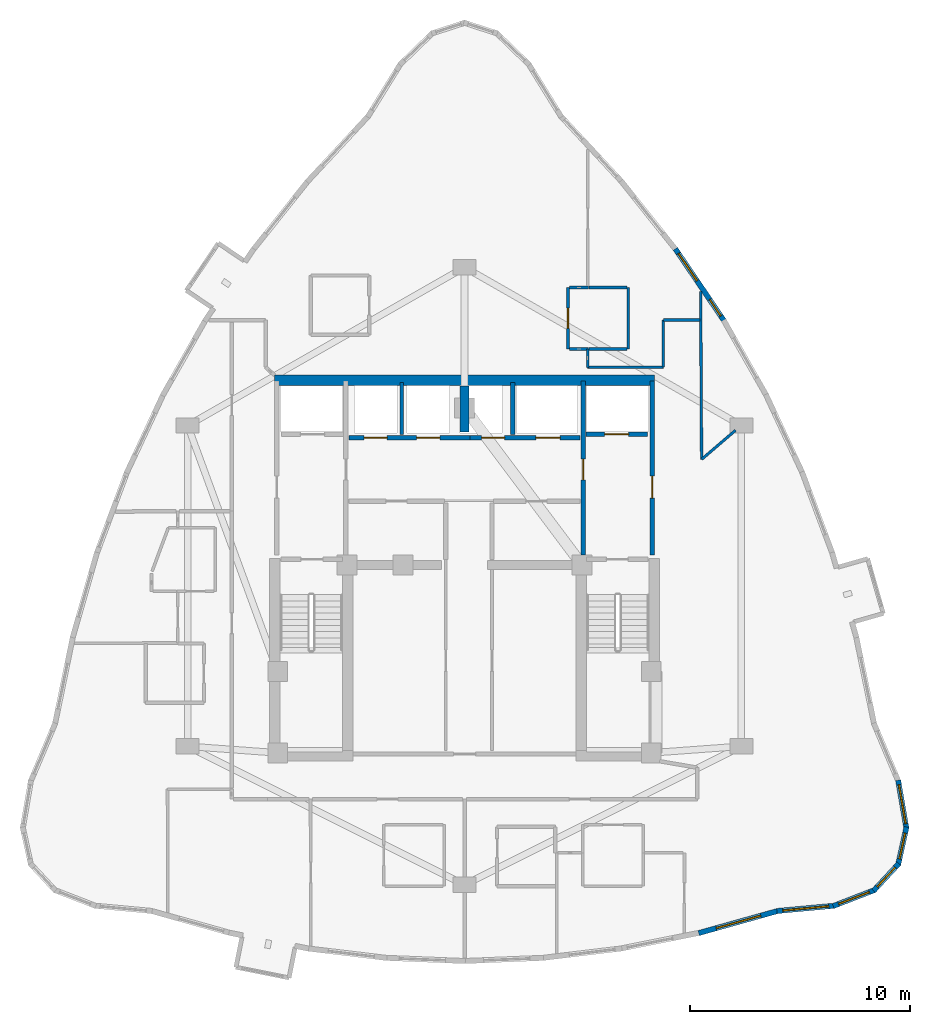
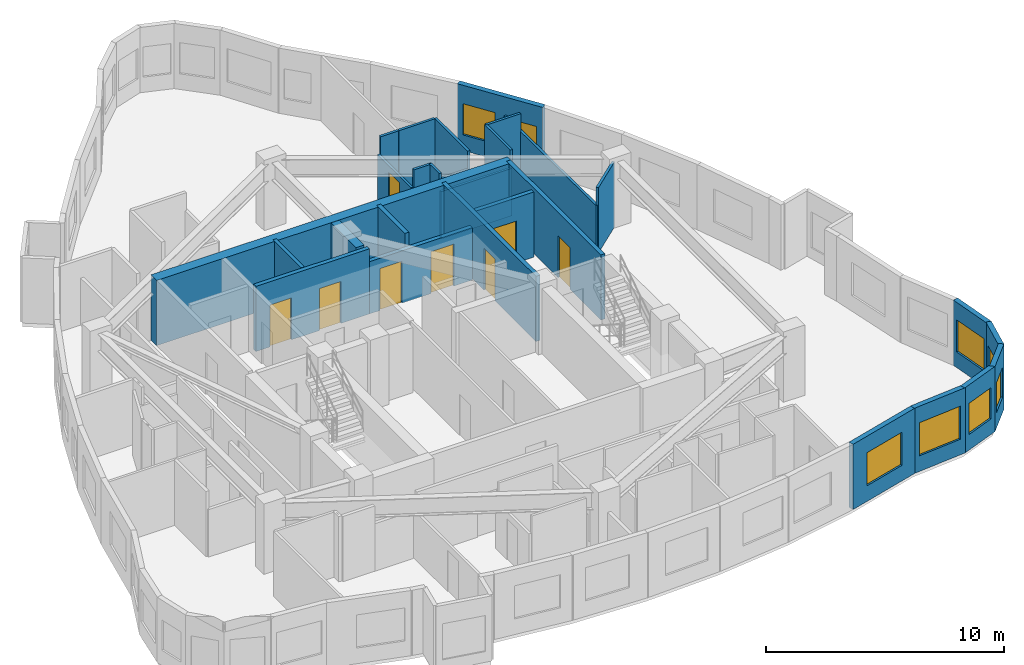
# One storey, part 10 of 13: 28 walls, 8 doors, 8 windows, 16 openings.
"""IFC4 building model written with IfcOpenShell, lengths in metres."""

from ifc_helpers import new_model, si_unit, direction, frame, frame_2d, origin, place, context, subcontext, project, spatial, rectangle, extrude, material, layer, layer_set, type_object, element, fill, save


model = new_model("IFC4")

# Units and contexts
model_context = context("Model", 3, precision=1e-05, world=origin(), true_north=direction((0.0, 1.0)))
body_context = subcontext(model_context, "Body", "Model", "MODEL_VIEW")
ifc_project = project(units=[si_unit("LENGTHUNIT", "METRE"), si_unit("AREAUNIT", "SQUARE_METRE"), si_unit("VOLUMEUNIT", "CUBIC_METRE"), si_unit("PLANEANGLEUNIT", "RADIAN"), si_unit("MASSUNIT", "GRAM", prefix="KILO")], contexts=[model_context])

# Site, building, storey
site_placement = place(None, origin())
site = spatial("IfcSite", under=ifc_project, at=site_placement, CompositionType="ELEMENT")
building_placement = place(site_placement, origin())
building = spatial("IfcBuilding", under=site, at=building_placement, Name="Miruveldt Soraemaru", CompositionType="ELEMENT")
storey_placement = place(building_placement, frame((0.0, 0.0, 198.0)))
storey = spatial("IfcBuildingStorey", under=building, at=storey_placement, Name="L54", CompositionType="ELEMENT", Elevation=198.0)

# Walls
ifc_material_1 = material(Name="Concrete C70/85 (70 MPa)", Category="concrete")
ifc_layer_1 = layer(ifc_material_1, 0.5, Name="Concrete C70/85 (70 MPa)", Category="concrete")
ifc_layer_set_1 = layer_set([ifc_layer_1], Name="Concrete C70/85 (70 MPa)")
wall_type_1 = type_object("IfcWallType", Name="WALL-BW-500", PredefinedType="SHEAR", material=ifc_layer_set_1)
wall_1_placement = place(storey_placement, frame((44.0, 50.10009765625, 0.0), z_axis=(0.0, 0.0, 1.0), x_axis=(0.0, 1.0, 0.0)))
element("IfcWall", 1, at=wall_1_placement, inside=storey, type_object=wall_type_1, Name="L54 Core Buttress Shear Wall BN", PredefinedType="SHEAR", context=body_context, shape_type="SweptSolid", body=[
    extrude(rectangle(XDim=2.099853515625, YDim=0.39990234375, at=frame_2d((1.0498046875, 0.0))), origin(), (0.0, 0.0, 1.0), 3.344970703125),
])
ifc_material_2 = material(Name="Concrete C60/75 (60 MPa)", Category="concrete")
ifc_layer_2 = layer(ifc_material_2, 0.47998046875, Name="Concrete C60/75 (60 MPa)", Category="concrete")
ifc_layer_set_2 = layer_set([ifc_layer_2], Name="Concrete C60/75 (60 MPa)")
wall_type_2 = type_object("IfcWallType", Name="WALL-CW-480", PredefinedType="SHEAR", material=ifc_layer_set_2)
wall_2_placement = place(storey_placement, frame((35.35009765625, 52.449951171875, 0.0), z_axis=(0.0, 0.0, 1.0), x_axis=(1.0, 0.0, 0.0)))
element("IfcWall", 2, at=wall_2_placement, inside=storey, type_object=wall_type_2, Name="L54 Central Core Shear Wall N", PredefinedType="SHEAR", context=body_context, shape_type="SweptSolid", body=[
    extrude(rectangle(XDim=17.2998046875, YDim=0.47998046875, at=frame_2d((8.64990234375, 0.0))), origin(), (0.0, 0.0, 1.0), 3.344970703125),
])

# Wall, opening, window
ifc_material_3 = material(Name="Precast concrete C45/55 (45 MPa)", Category="concrete")
ifc_layer_3 = layer(ifc_material_3, 0.239990234375, Name="Precast concrete C45/55 (45 MPa)", Category="concrete")
ifc_layer_set_3 = layer_set([ifc_layer_3], Name="Precast concrete C45/55 (45 MPa)")
wall_type_3 = type_object("IfcWallType", Name="WALL-EXT-PC240", PredefinedType="SOLIDWALL", material=ifc_layer_set_3)
wall_3_placement = place(storey_placement, frame((54.654052734375, 27.297119140625, 0.0), z_axis=(0.0, 0.0, 1.0), x_axis=(0.962964692372, 0.26962752316, 0.0)))
wall_3 = element("IfcWall", 3, at=wall_3_placement, inside=storey, type_object=wall_type_3, Name="L54 Precast Concrete Facade Wall 28", PredefinedType="SOLIDWALL", context=body_context, shape_type="SweptSolid", body=[
    extrude(rectangle(XDim=3.76953125, YDim=0.239990234375, at=frame_2d((1.884765625, 0.0))), origin(), (0.0, 0.0, 1.0), 3.344970703125),
])
opening_1_placement = place(wall_3_placement, frame((0.8349609375, 0.0, 0.800048828125)))
opening_1 = element("IfcOpeningElement", 4, at=opening_1_placement, cuts=wall_3, Name="Opening WN-1", PredefinedType="OPENING", context=body_context, shape_type="SweptSolid", body=[
    extrude(rectangle(XDim=2.10009765625, YDim=1.699951171875, at=frame_2d((1.050048828125, 0.85009765625))), frame((0.0, 0.1298828125, 0.0), z_axis=(0.0, -1.0, 0.0), x_axis=(1.0, 0.0, 0.0)), (0.0, 0.0, 1.0), 0.260009765625),
])
ifc_material_4 = material(Name="Triple low-e insulated glazing", Category="glass")
window_type_1 = type_object("IfcWindowType", Name="WIN-PUNCH-2100x1700", PartitioningType="SINGLE_PANEL", PredefinedType="WINDOW", material=ifc_material_4)
window_1_placement = place(opening_1_placement, origin())
window_1 = element("IfcWindow", 5, at=window_1_placement, inside=storey, type_object=window_type_1, Name="L54 Punched Triple-Glazed Window 28.1", OverallHeight=1.699951171875, OverallWidth=2.10009765625, PartitioningType="SINGLE_PANEL", PredefinedType="WINDOW", context=body_context, shape_type="SweptSolid", body=[
    extrude(rectangle(XDim=2.10009765625, YDim=1.699951171875, at=frame_2d((1.050048828125, 0.85009765625))), frame((0.0, 0.030029296875, 0.0), z_axis=(0.0, -1.0, 0.0), x_axis=(1.0, 0.0, 0.0)), (0.0, 0.0, 1.0), 0.06005859375),
])
fill(opening_1, window_1)

wall_4_placement = place(storey_placement, frame((58.21533203125, 28.30078125, 0.0), z_axis=(0.0, 0.0, 1.0), x_axis=(0.995760434539, 0.091984547654, 0.0)))
wall_4 = element("IfcWall", 6, at=wall_4_placement, inside=storey, type_object=wall_type_3, Name="L54 Precast Concrete Facade Wall 29", PredefinedType="SOLIDWALL", context=body_context, shape_type="SweptSolid", body=[
    extrude(rectangle(XDim=2.6435546875, YDim=0.239990234375, at=frame_2d((1.32177734375, 0.0))), origin(), (0.0, 0.0, 1.0), 3.344970703125),
])
opening_2_placement = place(wall_4_placement, frame((0.27197265625, 0.0, 0.800048828125)))
opening_2 = element("IfcOpeningElement", 7, at=opening_2_placement, cuts=wall_4, Name="Opening WN-1", PredefinedType="OPENING", context=body_context, shape_type="SweptSolid", body=[
    extrude(rectangle(XDim=2.10009765625, YDim=1.699951171875, at=frame_2d((1.050048828125, 0.85009765625))), frame((0.0, 0.1298828125, 0.0), z_axis=(0.0, -1.0, 0.0), x_axis=(1.0, 0.0, 0.0)), (0.0, 0.0, 1.0), 0.260009765625),
])
window_2_placement = place(opening_2_placement, origin())
window_2 = element("IfcWindow", 8, at=window_2_placement, inside=storey, type_object=window_type_1, Name="L54 Punched Triple-Glazed Window 29.1", OverallHeight=1.699951171875, OverallWidth=2.10009765625, PartitioningType="SINGLE_PANEL", PredefinedType="WINDOW", context=body_context, shape_type="SweptSolid", body=[
    extrude(rectangle(XDim=2.10009765625, YDim=1.699951171875, at=frame_2d((1.050048828125, 0.85009765625))), frame((0.0, 0.030029296875, 0.0), z_axis=(0.0, -1.0, 0.0), x_axis=(1.0, 0.0, 0.0)), (0.0, 0.0, 1.0), 0.06005859375),
])
fill(opening_2, window_2)

wall_5_placement = place(storey_placement, frame((60.7802734375, 28.528076171875, 0.0), z_axis=(0.0, 0.0, 1.0), x_axis=(0.932261326856, 0.361785597349, 0.0)))
wall_5 = element("IfcWall", 9, at=wall_5_placement, inside=storey, type_object=wall_type_3, Name="L54 Precast Concrete Facade Wall 30", PredefinedType="SOLIDWALL", context=body_context, shape_type="SweptSolid", body=[
    extrude(rectangle(XDim=2.033203125, YDim=0.239990234375, at=frame_2d((1.0166015625, 0.0))), origin(), (0.0, 0.0, 1.0), 3.344970703125),
])
opening_3_placement = place(wall_5_placement, frame((0.26611328125, 0.0, 0.800048828125)))
opening_3 = element("IfcOpeningElement", 10, at=opening_3_placement, cuts=wall_5, Name="Opening WN-3", PredefinedType="OPENING", context=body_context, shape_type="SweptSolid", body=[
    extrude(rectangle(XDim=1.5, YDim=1.60009765625, at=frame_2d((0.75, 0.800048828125))), frame((0.0, 0.1298828125, 0.0), z_axis=(0.0, -1.0, 0.0), x_axis=(1.0, 0.0, 0.0)), (0.0, 0.0, 1.0), 0.260009765625),
])
window_type_2 = type_object("IfcWindowType", Name="WIN-PUNCH-1500x1600", PartitioningType="SINGLE_PANEL", PredefinedType="WINDOW", material=ifc_material_4)
window_3_placement = place(opening_3_placement, origin())
window_3 = element("IfcWindow", 11, at=window_3_placement, inside=storey, type_object=window_type_2, Name="L54 Punched Triple-Glazed Window 30.1", OverallHeight=1.60009765625, OverallWidth=1.5, PartitioningType="SINGLE_PANEL", PredefinedType="WINDOW", context=body_context, shape_type="SweptSolid", body=[
    extrude(rectangle(XDim=1.5, YDim=1.60009765625, at=frame_2d((0.75, 0.800048828125))), frame((0.0, 0.030029296875, 0.0), z_axis=(0.0, -1.0, 0.0), x_axis=(1.0, 0.0, 0.0)), (0.0, 0.0, 1.0), 0.06005859375),
])
fill(opening_3, window_3)

wall_6_placement = place(storey_placement, frame((62.619384765625, 29.22509765625, 0.0), z_axis=(0.0, 0.0, 1.0), x_axis=(0.680167597327, 0.733056641431, 0.0)))
wall_6 = element("IfcWall", 12, at=wall_6_placement, inside=storey, type_object=wall_type_3, Name="L54 Precast Concrete Facade Wall 31", PredefinedType="SOLIDWALL", context=body_context, shape_type="SweptSolid", body=[
    extrude(rectangle(XDim=1.684814453125, YDim=0.239990234375, at=frame_2d((0.84228515625, 0.0))), origin(), (0.0, 0.0, 1.0), 3.344970703125),
])
opening_4_placement = place(wall_6_placement, frame((0.241943359375, 0.0, 0.780029296875)))
opening_4 = element("IfcOpeningElement", 13, at=opening_4_placement, cuts=wall_6, Name="Opening WN-4", PredefinedType="OPENING", context=body_context, shape_type="SweptSolid", body=[
    extrude(rectangle(XDim=1.199951171875, YDim=1.550048828125, at=frame_2d((0.60009765625, 0.77490234375))), frame((0.0, 0.1298828125, 0.0), z_axis=(0.0, -1.0, 0.0), x_axis=(1.0, 0.0, 0.0)), (0.0, 0.0, 1.0), 0.260009765625),
])
window_type_3 = type_object("IfcWindowType", Name="WIN-PUNCH-1200x1550", PartitioningType="SINGLE_PANEL", PredefinedType="WINDOW", material=ifc_material_4)
window_4_placement = place(opening_4_placement, origin())
window_4 = element("IfcWindow", 14, at=window_4_placement, inside=storey, type_object=window_type_3, Name="L54 Punched Triple-Glazed Window 31.1", OverallHeight=1.550048828125, OverallWidth=1.199951171875, PartitioningType="SINGLE_PANEL", PredefinedType="WINDOW", context=body_context, shape_type="SweptSolid", body=[
    extrude(rectangle(XDim=1.199951171875, YDim=1.550048828125, at=frame_2d((0.60009765625, 0.77490234375))), frame((0.0, 0.030029296875, 0.0), z_axis=(0.0, -1.0, 0.0), x_axis=(1.0, 0.0, 0.0)), (0.0, 0.0, 1.0), 0.06005859375),
])
fill(opening_4, window_4)

wall_7_placement = place(storey_placement, frame((63.73388671875, 30.400390625, 0.0), z_axis=(0.0, 0.0, 1.0), x_axis=(0.215818470806, 0.976433503962, 0.0)))
wall_7 = element("IfcWall", 15, at=wall_7_placement, inside=storey, type_object=wall_type_3, Name="L54 Precast Concrete Facade Wall 32", PredefinedType="SOLIDWALL", context=body_context, shape_type="SweptSolid", body=[
    extrude(rectangle(XDim=1.76708984375, YDim=0.239990234375, at=frame_2d((0.883544921875, 0.0))), origin(), (0.0, 0.0, 1.0), 3.344970703125),
])
opening_5_placement = place(wall_7_placement, frame((0.282958984375, 0.0, 0.780029296875)))
opening_5 = element("IfcOpeningElement", 16, at=opening_5_placement, cuts=wall_7, Name="Opening WN-4", PredefinedType="OPENING", context=body_context, shape_type="SweptSolid", body=[
    extrude(rectangle(XDim=1.199951171875, YDim=1.550048828125, at=frame_2d((0.60009765625, 0.77490234375))), frame((0.0, 0.1298828125, 0.0), z_axis=(0.0, -1.0, 0.0), x_axis=(1.0, 0.0, 0.0)), (0.0, 0.0, 1.0), 0.260009765625),
])
window_5_placement = place(opening_5_placement, origin())
window_5 = element("IfcWindow", 17, at=window_5_placement, inside=storey, type_object=window_type_3, Name="L54 Punched Triple-Glazed Window 32.1", OverallHeight=1.550048828125, OverallWidth=1.199951171875, PartitioningType="SINGLE_PANEL", PredefinedType="WINDOW", context=body_context, shape_type="SweptSolid", body=[
    extrude(rectangle(XDim=1.199951171875, YDim=1.550048828125, at=frame_2d((0.60009765625, 0.77490234375))), frame((0.0, 0.030029296875, 0.0), z_axis=(0.0, -1.0, 0.0), x_axis=(1.0, 0.0, 0.0)), (0.0, 0.0, 1.0), 0.06005859375),
])
fill(opening_5, window_5)

wall_8_placement = place(storey_placement, frame((64.113525390625, 32.05712890625, 0.0), z_axis=(0.0, 0.0, 1.0), x_axis=(-0.169346387862, 0.985556594477, 0.0)))
wall_8 = element("IfcWall", 18, at=wall_8_placement, inside=storey, type_object=wall_type_3, Name="L54 Precast Concrete Facade Wall 33", PredefinedType="SOLIDWALL", context=body_context, shape_type="SweptSolid", body=[
    extrude(rectangle(XDim=2.231689453125, YDim=0.239990234375, at=frame_2d((1.11572265625, 0.0))), origin(), (0.0, 0.0, 1.0), 3.344970703125),
])
opening_6_placement = place(wall_8_placement, frame((0.216064453125, 0.0, 0.800048828125)))
opening_6 = element("IfcOpeningElement", 19, at=opening_6_placement, cuts=wall_8, Name="Opening WN-2", PredefinedType="OPENING", context=body_context, shape_type="SweptSolid", body=[
    extrude(rectangle(XDim=1.800048828125, YDim=1.64990234375, at=frame_2d((0.89990234375, 0.824951171875))), frame((0.0, 0.1298828125, 0.0), z_axis=(0.0, -1.0, 0.0), x_axis=(1.0, 0.0, 0.0)), (0.0, 0.0, 1.0), 0.260009765625),
])
window_type_4 = type_object("IfcWindowType", Name="WIN-PUNCH-1800x1650", PartitioningType="SINGLE_PANEL", PredefinedType="WINDOW", material=ifc_material_4)
window_6_placement = place(opening_6_placement, origin())
window_6 = element("IfcWindow", 20, at=window_6_placement, inside=storey, type_object=window_type_4, Name="L54 Punched Triple-Glazed Window 33.1", OverallHeight=1.64990234375, OverallWidth=1.800048828125, PartitioningType="SINGLE_PANEL", PredefinedType="WINDOW", context=body_context, shape_type="SweptSolid", body=[
    extrude(rectangle(XDim=1.800048828125, YDim=1.64990234375, at=frame_2d((0.89990234375, 0.824951171875))), frame((0.0, 0.030029296875, 0.0), z_axis=(0.0, -1.0, 0.0), x_axis=(1.0, 0.0, 0.0)), (0.0, 0.0, 1.0), 0.06005859375),
])
fill(opening_6, window_6)

# Wall, openings, windows
wall_9_placement = place(storey_placement, frame((55.829833984375, 55.143310546875, 0.0), z_axis=(0.0, 0.0, 1.0), x_axis=(-0.56084814517, 0.827918690488, 0.0)))
wall_9 = element("IfcWall", 21, at=wall_9_placement, inside=storey, type_object=wall_type_3, Name="L54 Precast Concrete Facade Wall 40", PredefinedType="SOLIDWALL", context=body_context, shape_type="SweptSolid", body=[
    extrude(rectangle(XDim=3.985595703125, YDim=0.239990234375, at=frame_2d((1.99267578125, 0.0))), origin(), (0.0, 0.0, 1.0), 3.344970703125),
])
opening_7_placement = place(wall_9_placement, frame((0.297119140625, 0.0, 0.780029296875)))
opening_7 = element("IfcOpeningElement", 22, at=opening_7_placement, cuts=wall_9, Name="Opening WN-7", PredefinedType="OPENING", context=body_context, shape_type="SweptSolid", body=[
    extrude(rectangle(XDim=0.89990234375, YDim=1.5, at=frame_2d((0.449951171875, 0.75))), frame((0.0, 0.1298828125, 0.0), z_axis=(0.0, -1.0, 0.0), x_axis=(1.0, 0.0, 0.0)), (0.0, 0.0, 1.0), 0.260009765625),
])
opening_8_placement = place(wall_9_placement, frame((2.22998046875, 0.0, 0.800048828125)))
opening_8 = element("IfcOpeningElement", 23, at=opening_8_placement, cuts=wall_9, Name="Opening WN-3", PredefinedType="OPENING", context=body_context, shape_type="SweptSolid", body=[
    extrude(rectangle(XDim=1.5, YDim=1.60009765625, at=frame_2d((0.75, 0.800048828125))), frame((0.0, 0.1298828125, 0.0), z_axis=(0.0, -1.0, 0.0), x_axis=(1.0, 0.0, 0.0)), (0.0, 0.0, 1.0), 0.260009765625),
])
window_7_placement = place(opening_8_placement, origin())
window_7 = element("IfcWindow", 24, at=window_7_placement, inside=storey, type_object=window_type_2, Name="L54 Punched Triple-Glazed Window 40.2", OverallHeight=1.60009765625, OverallWidth=1.5, PartitioningType="SINGLE_PANEL", PredefinedType="WINDOW", context=body_context, shape_type="SweptSolid", body=[
    extrude(rectangle(XDim=1.5, YDim=1.60009765625, at=frame_2d((0.75, 0.800048828125))), frame((0.0, 0.030029296875, 0.0), z_axis=(0.0, -1.0, 0.0), x_axis=(1.0, 0.0, 0.0)), (0.0, 0.0, 1.0), 0.06005859375),
])
fill(opening_8, window_7)
window_type_5 = type_object("IfcWindowType", Name="WIN-PUNCH-900x1500", PartitioningType="SINGLE_PANEL", PredefinedType="WINDOW", material=ifc_material_4)
window_8_placement = place(opening_7_placement, origin())
window_8 = element("IfcWindow", 25, at=window_8_placement, inside=storey, type_object=window_type_5, Name="L54 Punched Triple-Glazed Window 40.1", OverallHeight=1.5, OverallWidth=0.89990234375, PartitioningType="SINGLE_PANEL", PredefinedType="WINDOW", context=body_context, shape_type="SweptSolid", body=[
    extrude(rectangle(XDim=0.89990234375, YDim=1.5, at=frame_2d((0.449951171875, 0.75))), frame((0.0, 0.030029296875, 0.0), z_axis=(0.0, -1.0, 0.0), x_axis=(1.0, 0.0, 0.0)), (0.0, 0.0, 1.0), 0.06005859375),
])
fill(opening_7, window_8)

# Wall, opening, door
ifc_material_5 = material(Name="Gypsum plasterboard lining", Category="gypsum")
ifc_layer_4 = layer(ifc_material_5, 0.1201171875, Name="Gypsum plasterboard lining", Category="gypsum")
ifc_layer_set_4 = layer_set([ifc_layer_4], Name="Gypsum plasterboard lining")
wall_type_4 = type_object("IfcWallType", Name="WALL-INT-P120", PredefinedType="PARTITIONING", material=ifc_layer_set_4)
wall_10_placement = place(storey_placement, frame((48.70703125, 56.679931640625, 0.0), z_axis=(0.0, 0.0, 1.0), x_axis=(0.0, -1.0, 0.0)))
wall_10 = element("IfcWall", 26, at=wall_10_placement, inside=storey, type_object=wall_type_4, Name="L54 Partition Wall 17", PredefinedType="PARTITIONING", context=body_context, shape_type="SweptSolid", body=[
    extrude(rectangle(XDim=2.800048828125, YDim=0.1201171875, at=frame_2d((1.39990234375, 0.0))), origin(), (0.0, 0.0, 1.0), 2.43310546875),
])
opening_9_placement = place(wall_10_placement, frame((0.93994140625, 0.0, 0.0)))
opening_9 = element("IfcOpeningElement", 27, at=opening_9_placement, cuts=wall_10, Name="Opening D3A", PredefinedType="OPENING", context=body_context, shape_type="SweptSolid", body=[
    extrude(rectangle(XDim=0.919921875, YDim=2.10009765625, at=frame_2d((0.4599609375, 1.050048828125))), frame((0.0, 0.070068359375, 0.0), z_axis=(0.0, -1.0, 0.0), x_axis=(1.0, 0.0, 0.0)), (0.0, 0.0, 1.0), 0.14013671875),
])
ifc_material_6 = material(Name="Anodised aluminium EN AW-6063 T6", Category="aluminium")
door_type_1 = type_object("IfcDoorType", Name="DOOR-INT-920", OperationType="NOTDEFINED", PredefinedType="DOOR", material=ifc_material_6)
door_1_placement = place(opening_9_placement, origin())
door_1 = element("IfcDoor", 28, at=door_1_placement, inside=storey, type_object=door_type_1, Name="L54 Unit 5401 KIT Door", OperationType="SINGLE_SWING_LEFT", OverallHeight=2.10009765625, OverallWidth=0.919921875, PredefinedType="DOOR", context=body_context, shape_type="SweptSolid", body=[
    extrude(rectangle(XDim=0.919921875, YDim=2.10009765625, at=frame_2d((0.4599609375, 1.050048828125))), frame((0.0, 0.02490234375, 0.0), z_axis=(0.0, -1.0, 0.0), x_axis=(1.0, 0.0, 0.0)), (0.0, 0.0, 1.0), 0.050048828125),
])
fill(opening_9, door_1)

# Walls
wall_11_placement = place(storey_placement, frame((54.7451171875, 56.50390625, 0.0), z_axis=(0.0, 0.0, 1.0), x_axis=(0.005875864585, -0.999982736959, 0.0)))
element("IfcWall", 29, at=wall_11_placement, inside=storey, type_object=wall_type_4, Name="L54 Partition Wall 56", PredefinedType="PARTITIONING", context=body_context, shape_type="SweptSolid", body=[
    extrude(rectangle(XDim=7.645263671875, YDim=0.1201171875, at=frame_2d((3.82275390625, 0.0))), origin(), (0.0, 0.0, 1.0), 2.43310546875),
])
wall_12_placement = place(storey_placement, frame((53.047119140625, 53.050048828125, 0.0), z_axis=(0.0, 0.0, 1.0), x_axis=(-1.0, 0.0, 0.0)))
element("IfcWall", 30, at=wall_12_placement, inside=storey, type_object=wall_type_4, Name="L54 Partition Wall 59", PredefinedType="PARTITIONING", context=body_context, shape_type="SweptSolid", body=[
    extrude(rectangle(XDim=3.444091796875, YDim=0.1201171875, at=frame_2d((1.72216796875, 0.0))), origin(), (0.0, 0.0, 1.0), 2.43310546875),
])
wall_13_placement = place(storey_placement, frame((51.45703125, 53.8798828125, 0.0), z_axis=(0.0, 0.0, 1.0), x_axis=(0.0, 1.0, 0.0)))
element("IfcWall", 31, at=wall_13_placement, inside=storey, type_object=wall_type_4, Name="L54 Partition Wall 24", PredefinedType="PARTITIONING", context=body_context, shape_type="SweptSolid", body=[
    extrude(rectangle(XDim=2.800048828125, YDim=0.1201171875, at=frame_2d((1.39990234375, 0.0))), origin(), (0.0, 0.0, 1.0), 3.344970703125),
])
wall_14_placement = place(storey_placement, frame((53.050048828125, 55.199951171875, 0.0), z_axis=(0.0, 0.0, 1.0), x_axis=(0.0, -1.0, 0.0)))
element("IfcWall", 32, at=wall_14_placement, inside=storey, type_object=wall_type_4, Name="L54 Partition Wall 58", PredefinedType="PARTITIONING", context=body_context, shape_type="SweptSolid", body=[
    extrude(rectangle(XDim=2.14697265625, YDim=0.1201171875, at=frame_2d((1.073486328125, 0.0))), origin(), (0.0, 0.0, 1.0), 3.344970703125),
])
wall_15_placement = place(storey_placement, frame((54.7900390625, 48.85888671875, 0.0), z_axis=(0.0, 0.0, 1.0), x_axis=(0.759333107801, 0.650702106495, 0.0)))
element("IfcWall", 33, at=wall_15_placement, inside=storey, type_object=wall_type_4, Name="L54 Partition Closure Return 3", PredefinedType="PARTITIONING", context=body_context, shape_type="SweptSolid", body=[
    extrude(rectangle(XDim=2.027099609375, YDim=0.1201171875, at=frame_2d((1.013671875, 0.0))), origin(), (0.0, 0.0, 1.0), 3.344970703125),
])
wall_16_placement = place(storey_placement, frame((49.6630859375, 53.8798828125, 0.0), z_axis=(0.0, 0.0, 1.0), x_axis=(1.0, 0.0, 0.0)))
element("IfcWall", 34, at=wall_16_placement, inside=storey, type_object=wall_type_4, Name="L54 Partition Wall 23", PredefinedType="PARTITIONING", context=body_context, shape_type="SweptSolid", body=[
    extrude(rectangle(XDim=1.73388671875, YDim=0.1201171875, at=frame_2d((0.866943359375, 0.0))), origin(), (0.0, 0.0, 1.0), 2.43310546875),
])
wall_17_placement = place(storey_placement, frame((51.39697265625, 56.679931640625, 0.0), z_axis=(0.0, 0.0, 1.0), x_axis=(-1.0, 0.0, 0.0)))
element("IfcWall", 35, at=wall_17_placement, inside=storey, type_object=wall_type_4, Name="L54 Partition Wall 25", PredefinedType="PARTITIONING", context=body_context, shape_type="SweptSolid", body=[
    extrude(rectangle(XDim=1.73388671875, YDim=0.1201171875, at=frame_2d((0.866943359375, 0.0))), origin(), (0.0, 0.0, 1.0), 3.344970703125),
])
wall_18_placement = place(storey_placement, frame((54.707763671875, 55.199951171875, 0.0), z_axis=(0.0, 0.0, 1.0), x_axis=(-1.0, 0.0, 0.0)))
element("IfcWall", 36, at=wall_18_placement, inside=storey, type_object=wall_type_4, Name="L54 Partition Wall 57", PredefinedType="PARTITIONING", context=body_context, shape_type="SweptSolid", body=[
    extrude(rectangle(XDim=1.65771484375, YDim=0.1201171875, at=frame_2d((0.828857421875, 0.0))), origin(), (0.0, 0.0, 1.0), 3.344970703125),
])
for number, where, z_axis, x_axis, name in (
    (37, (49.633056640625, 56.679931640625, 0.0), (0.0, 0.0, 1.0), (-1.0, 0.0, 0.0), "L54 Partition Wall 16"),
    (38, (48.76708984375, 53.8798828125, 0.0), (0.0, 0.0, 1.0), (1.0, 0.0, 0.0), "L54 Partition Wall 18"),
):
    element("IfcWall", number, at=place(storey_placement, frame(where, z_axis=z_axis, x_axis=x_axis)), inside=storey, type_object=wall_type_4, Name=name, PredefinedType="PARTITIONING", context=body_context, shape_type="SweptSolid", body=[
        extrude(rectangle(XDim=0.865966796875, YDim=0.1201171875, at=frame_2d((0.43310546875, 0.0))), origin(), (0.0, 0.0, 1.0), 3.344970703125),
    ])
wall_19_placement = place(storey_placement, frame((49.60302734375, 53.050048828125, 0.0), z_axis=(0.0, 0.0, 1.0), x_axis=(0.0, 1.0, 0.0)))
element("IfcWall", 39, at=wall_19_placement, inside=storey, type_object=wall_type_4, Name="L54 Partition Wall 19", PredefinedType="PARTITIONING", context=body_context, shape_type="SweptSolid", body=[
    extrude(rectangle(XDim=0.829833984375, YDim=0.1201171875, at=frame_2d((0.4150390625, 0.0))), origin(), (0.0, 0.0, 1.0), 3.344970703125),
])
ifc_material_7 = material(Name="Concrete C40/50 (40 MPa)", Category="concrete")
ifc_layer_5 = layer(ifc_material_7, 0.159912109375, Name="Concrete C40/50 (40 MPa)", Category="concrete")
ifc_layer_set_5 = layer_set([ifc_layer_5], Name="Concrete C40/50 (40 MPa)")
wall_type_5 = type_object("IfcWallType", Name="WALL-INT-RC160", PredefinedType="SOLIDWALL", material=ifc_layer_set_5)
wall_20_placement = place(storey_placement, frame((41.14990234375, 49.97998046875, 0.0), z_axis=(0.0, 0.0, 1.0), x_axis=(0.0, 1.0, 0.0)))
element("IfcWall", 40, at=wall_20_placement, inside=storey, type_object=wall_type_5, Name="L54 Core Compartment Wall PLH-DIV1", PredefinedType="SOLIDWALL", context=body_context, shape_type="SweptSolid", body=[
    extrude(rectangle(XDim=2.3701171875, YDim=0.159912109375, at=frame_2d((1.18505859375, 0.0))), origin(), (0.0, 0.0, 1.0), 3.344970703125),
])

# Wall, opening, door
ifc_layer_6 = layer(ifc_material_7, 0.199951171875, Name="Concrete C40/50 (40 MPa)", Category="concrete")
ifc_layer_set_6 = layer_set([ifc_layer_6], Name="Concrete C40/50 (40 MPa)")
wall_type_6 = type_object("IfcWallType", Name="WALL-INT-RC200", PredefinedType="SOLIDWALL", material=ifc_layer_set_6)
wall_21_placement = place(storey_placement, frame((52.550048828125, 44.5, 0.0), z_axis=(0.0, 0.0, 1.0), x_axis=(0.0, 1.0, 0.0)))
wall_21 = element("IfcWall", 41, at=wall_21_placement, inside=storey, type_object=wall_type_6, Name="L54 Core Compartment Wall FFE-OUT", PredefinedType="SOLIDWALL", context=body_context, shape_type="SweptSolid", body=[
    extrude(rectangle(XDim=7.919921875, YDim=0.199951171875, at=frame_2d((3.9599609375, 0.0))), origin(), (0.0, 0.0, 1.0), 3.344970703125),
])
opening_10_placement = place(wall_21_placement, frame((2.60009765625, 0.0, 0.0)))
opening_10 = element("IfcOpeningElement", 42, at=opening_10_placement, cuts=wall_21, Name="Opening FD1", PredefinedType="OPENING", context=body_context, shape_type="SweptSolid", body=[
    extrude(rectangle(XDim=1.0, YDim=2.14990234375, at=frame_2d((0.5, 1.074951171875))), frame((0.0, 0.10986328125, 0.0), z_axis=(0.0, -1.0, 0.0), x_axis=(1.0, 0.0, 0.0)), (0.0, 0.0, 1.0), 0.219970703125),
])
door_type_2 = type_object("IfcDoorType", Name="DOOR-FD1-1000", OperationType="NOTDEFINED", PredefinedType="DOOR", material=ifc_material_6)
door_2_placement = place(opening_10_placement, frame((1.0, 0.0, 0.0), z_axis=(0.0, 0.0, 1.0), x_axis=(-1.0, 0.0, 0.0)))
door_2 = element("IfcDoor", 43, at=door_2_placement, inside=storey, type_object=door_type_2, Name="L54 East Firefighting Lobby Exit Door", OperationType="SINGLE_SWING_RIGHT", OverallHeight=2.14990234375, OverallWidth=1.0, PredefinedType="DOOR", context=body_context, shape_type="SweptSolid", body=[
    extrude(rectangle(XDim=1.0, YDim=2.14990234375, at=frame_2d((0.5, 1.074951171875))), frame((0.0, 0.02490234375, 0.0), z_axis=(0.0, -1.0, 0.0), x_axis=(1.0, 0.0, 0.0)), (0.0, 0.0, 1.0), 0.050048828125),
])
fill(opening_10, door_2)

wall_22_placement = place(storey_placement, frame((49.39990234375, 44.5, 0.0), z_axis=(0.0, 0.0, 1.0), x_axis=(0.0, 1.0, 0.0)))
wall_22 = element("IfcWall", 44, at=wall_22_placement, inside=storey, type_object=wall_type_6, Name="L54 Core Compartment Wall FFE-IN", PredefinedType="SOLIDWALL", context=body_context, shape_type="SweptSolid", body=[
    extrude(rectangle(XDim=7.919921875, YDim=0.199951171875, at=frame_2d((3.9599609375, 0.0))), origin(), (0.0, 0.0, 1.0), 3.344970703125),
])
opening_11_placement = place(wall_22_placement, frame((3.425048828125, 0.0, 0.0)))
opening_11 = element("IfcOpeningElement", 45, at=opening_11_placement, cuts=wall_22, Name="Opening FD2", PredefinedType="OPENING", context=body_context, shape_type="SweptSolid", body=[
    extrude(rectangle(XDim=0.949951171875, YDim=2.14990234375, at=frame_2d((0.47509765625, 1.074951171875))), frame((0.0, 0.10986328125, 0.0), z_axis=(0.0, -1.0, 0.0), x_axis=(1.0, 0.0, 0.0)), (0.0, 0.0, 1.0), 0.219970703125),
])
door_type_3 = type_object("IfcDoorType", Name="DOOR-FD2-950", OperationType="NOTDEFINED", PredefinedType="DOOR", material=ifc_material_6)
door_3_placement = place(opening_11_placement, origin())
door_3 = element("IfcDoor", 46, at=door_3_placement, inside=storey, type_object=door_type_3, Name="L54 Lift Lobby to East Fire Lobby Door", OperationType="SINGLE_SWING_LEFT", OverallHeight=2.14990234375, OverallWidth=0.949951171875, PredefinedType="DOOR", context=body_context, shape_type="SweptSolid", body=[
    extrude(rectangle(XDim=0.949951171875, YDim=2.14990234375, at=frame_2d((0.47509765625, 1.074951171875))), frame((0.0, 0.02490234375, 0.0), z_axis=(0.0, -1.0, 0.0), x_axis=(1.0, 0.0, 0.0)), (0.0, 0.0, 1.0), 0.050048828125),
])
fill(opening_11, door_3)

# Wall, openings, doors
wall_23_placement = place(storey_placement, frame((38.75, 49.85009765625, 0.0), z_axis=(0.0, 0.0, 1.0), x_axis=(1.0, 0.0, 0.0)))
wall_23 = element("IfcWall", 47, at=wall_23_placement, inside=storey, type_object=wall_type_6, Name="L54 Core Compartment Wall ROWA-SW", PredefinedType="SOLIDWALL", context=body_context, shape_type="SweptSolid", body=[
    extrude(rectangle(XDim=5.5, YDim=0.199951171875, at=frame_2d((2.75, 0.0))), origin(), (0.0, 0.0, 1.0), 3.344970703125),
])
opening_12_placement = place(wall_23_placement, frame((0.675048828125, 0.0, 0.0)))
opening_12 = element("IfcOpeningElement", 48, at=opening_12_placement, cuts=wall_23, Name="Opening LD1", PredefinedType="OPENING", context=body_context, shape_type="SweptSolid", body=[
    extrude(rectangle(XDim=1.050048828125, YDim=2.14990234375, at=frame_2d((0.52490234375, 1.074951171875))), frame((0.0, 0.10986328125, 0.0), z_axis=(0.0, -1.0, 0.0), x_axis=(1.0, 0.0, 0.0)), (0.0, 0.0, 1.0), 0.219970703125),
])
opening_13_placement = place(wall_23_placement, frame((3.074951171875, 0.0, 0.0)))
opening_13 = element("IfcOpeningElement", 49, at=opening_13_placement, cuts=wall_23, Name="Opening LD1", PredefinedType="OPENING", context=body_context, shape_type="SweptSolid", body=[
    extrude(rectangle(XDim=1.050048828125, YDim=2.14990234375, at=frame_2d((0.52490234375, 1.074951171875))), frame((0.0, 0.10986328125, 0.0), z_axis=(0.0, -1.0, 0.0), x_axis=(1.0, 0.0, 0.0)), (0.0, 0.0, 1.0), 0.219970703125),
])
door_type_4 = type_object("IfcDoorType", Name="DOOR-LD1-1050", OperationType="SLIDING_TO_LEFT", PredefinedType="DOOR", material=ifc_material_6)
door_4_placement = place(opening_12_placement, origin())
door_4 = element("IfcDoor", 50, at=door_4_placement, inside=storey, type_object=door_type_4, Name="L54 PL-H1 Landing Door", OperationType="SLIDING_TO_LEFT", OverallHeight=2.14990234375, OverallWidth=1.050048828125, PredefinedType="DOOR", context=body_context, shape_type="SweptSolid", body=[
    extrude(rectangle(XDim=1.050048828125, YDim=2.14990234375, at=frame_2d((0.52490234375, 1.074951171875))), frame((0.0, 0.02490234375, 0.0), z_axis=(0.0, -1.0, 0.0), x_axis=(1.0, 0.0, 0.0)), (0.0, 0.0, 1.0), 0.050048828125),
])
fill(opening_12, door_4)
door_5_placement = place(opening_13_placement, origin())
door_5 = element("IfcDoor", 51, at=door_5_placement, inside=storey, type_object=door_type_4, Name="L54 PL-H2 Landing Door", OperationType="SLIDING_TO_LEFT", OverallHeight=2.14990234375, OverallWidth=1.050048828125, PredefinedType="DOOR", context=body_context, shape_type="SweptSolid", body=[
    extrude(rectangle(XDim=1.050048828125, YDim=2.14990234375, at=frame_2d((0.52490234375, 1.074951171875))), frame((0.0, 0.02490234375, 0.0), z_axis=(0.0, -1.0, 0.0), x_axis=(1.0, 0.0, 0.0)), (0.0, 0.0, 1.0), 0.050048828125),
])
fill(opening_13, door_5)

wall_24_placement = place(storey_placement, frame((44.25, 49.85009765625, 0.0), z_axis=(0.0, 0.0, 1.0), x_axis=(1.0, 0.0, 0.0)))
wall_24 = element("IfcWall", 52, at=wall_24_placement, inside=storey, type_object=wall_type_6, Name="L54 Core Compartment Wall ROWA-SE", PredefinedType="SOLIDWALL", context=body_context, shape_type="SweptSolid", body=[
    extrude(rectangle(XDim=5.0, YDim=0.199951171875, at=frame_2d((2.5, 0.0))), origin(), (0.0, 0.0, 1.0), 2.68310546875),
])
opening_14_placement = place(wall_24_placement, frame((0.52490234375, 0.0, 0.0)))
opening_14 = element("IfcOpeningElement", 53, at=opening_14_placement, cuts=wall_24, Name="Opening LD1", PredefinedType="OPENING", context=body_context, shape_type="SweptSolid", body=[
    extrude(rectangle(XDim=1.050048828125, YDim=2.14990234375, at=frame_2d((0.52490234375, 1.074951171875))), frame((0.0, 0.10986328125, 0.0), z_axis=(0.0, -1.0, 0.0), x_axis=(1.0, 0.0, 0.0)), (0.0, 0.0, 1.0), 0.219970703125),
])
opening_15_placement = place(wall_24_placement, frame((3.0, 0.0, 0.0)))
opening_15 = element("IfcOpeningElement", 54, at=opening_15_placement, cuts=wall_24, Name="Opening LD2", PredefinedType="OPENING", context=body_context, shape_type="SweptSolid", body=[
    extrude(rectangle(XDim=1.10009765625, YDim=2.14990234375, at=frame_2d((0.550048828125, 1.074951171875))), frame((0.0, 0.10986328125, 0.0), z_axis=(0.0, -1.0, 0.0), x_axis=(1.0, 0.0, 0.0)), (0.0, 0.0, 1.0), 0.219970703125),
])
door_6_placement = place(opening_14_placement, origin())
door_6 = element("IfcDoor", 55, at=door_6_placement, inside=storey, type_object=door_type_4, Name="L54 PL-H3 Landing Door", OperationType="SLIDING_TO_LEFT", OverallHeight=2.14990234375, OverallWidth=1.050048828125, PredefinedType="DOOR", context=body_context, shape_type="SweptSolid", body=[
    extrude(rectangle(XDim=1.050048828125, YDim=2.14990234375, at=frame_2d((0.52490234375, 1.074951171875))), frame((0.0, 0.02490234375, 0.0), z_axis=(0.0, -1.0, 0.0), x_axis=(1.0, 0.0, 0.0)), (0.0, 0.0, 1.0), 0.050048828125),
])
fill(opening_14, door_6)
door_type_5 = type_object("IfcDoorType", Name="DOOR-LD2-1100", OperationType="SLIDING_TO_LEFT", PredefinedType="DOOR", material=ifc_material_6)
door_7_placement = place(opening_15_placement, origin())
door_7 = element("IfcDoor", 56, at=door_7_placement, inside=storey, type_object=door_type_5, Name="L54 SL-1 Landing Door", OperationType="SLIDING_TO_LEFT", OverallHeight=2.14990234375, OverallWidth=1.10009765625, PredefinedType="DOOR", context=body_context, shape_type="SweptSolid", body=[
    extrude(rectangle(XDim=1.10009765625, YDim=2.14990234375, at=frame_2d((0.550048828125, 1.074951171875))), frame((0.0, 0.02490234375, 0.0), z_axis=(0.0, -1.0, 0.0), x_axis=(1.0, 0.0, 0.0)), (0.0, 0.0, 1.0), 0.050048828125),
])
fill(opening_15, door_7)

# Wall, opening, door
wall_25_placement = place(storey_placement, frame((49.52001953125, 50.0, 0.0), z_axis=(0.0, 0.0, 1.0), x_axis=(1.0, 0.0, 0.0)))
wall_25 = element("IfcWall", 57, at=wall_25_placement, inside=storey, type_object=wall_type_6, Name="L54 Core Compartment Wall FFL2-S", PredefinedType="SOLIDWALL", context=body_context, shape_type="SweptSolid", body=[
    extrude(rectangle(XDim=2.800048828125, YDim=0.199951171875, at=frame_2d((1.39990234375, 0.0))), origin(), (0.0, 0.0, 1.0), 3.344970703125),
])
opening_16_placement = place(wall_25_placement, frame((0.85009765625, 0.0, 0.0)))
opening_16 = element("IfcOpeningElement", 58, at=opening_16_placement, cuts=wall_25, Name="Opening LD2", PredefinedType="OPENING", context=body_context, shape_type="SweptSolid", body=[
    extrude(rectangle(XDim=1.10009765625, YDim=2.14990234375, at=frame_2d((0.550048828125, 1.074951171875))), frame((0.0, 0.10986328125, 0.0), z_axis=(0.0, -1.0, 0.0), x_axis=(1.0, 0.0, 0.0)), (0.0, 0.0, 1.0), 0.219970703125),
])
door_8_placement = place(opening_16_placement, origin())
door_8 = element("IfcDoor", 59, at=door_8_placement, inside=storey, type_object=door_type_5, Name="L54 FFL-2 Landing Door", OperationType="SLIDING_TO_LEFT", OverallHeight=2.14990234375, OverallWidth=1.10009765625, PredefinedType="DOOR", context=body_context, shape_type="SweptSolid", body=[
    extrude(rectangle(XDim=1.10009765625, YDim=2.14990234375, at=frame_2d((0.550048828125, 1.074951171875))), frame((0.0, 0.02490234375, 0.0), z_axis=(0.0, -1.0, 0.0), x_axis=(1.0, 0.0, 0.0)), (0.0, 0.0, 1.0), 0.050048828125),
])
fill(opening_16, door_8)

# Wall
wall_26_placement = place(storey_placement, frame((46.199951171875, 49.97998046875, 0.0), z_axis=(0.0, 0.0, 1.0), x_axis=(0.0, 1.0, 0.0)))
element("IfcWall", 60, at=wall_26_placement, inside=storey, type_object=wall_type_6, Name="L54 Core Compartment Wall PLH-SL-DIV", PredefinedType="SOLIDWALL", context=body_context, shape_type="SweptSolid", body=[
    extrude(rectangle(XDim=2.3701171875, YDim=0.199951171875, at=frame_2d((1.18505859375, 0.0))), origin(), (0.0, 0.0, 1.0), 3.344970703125),
])

save(model, "model.ifc")
